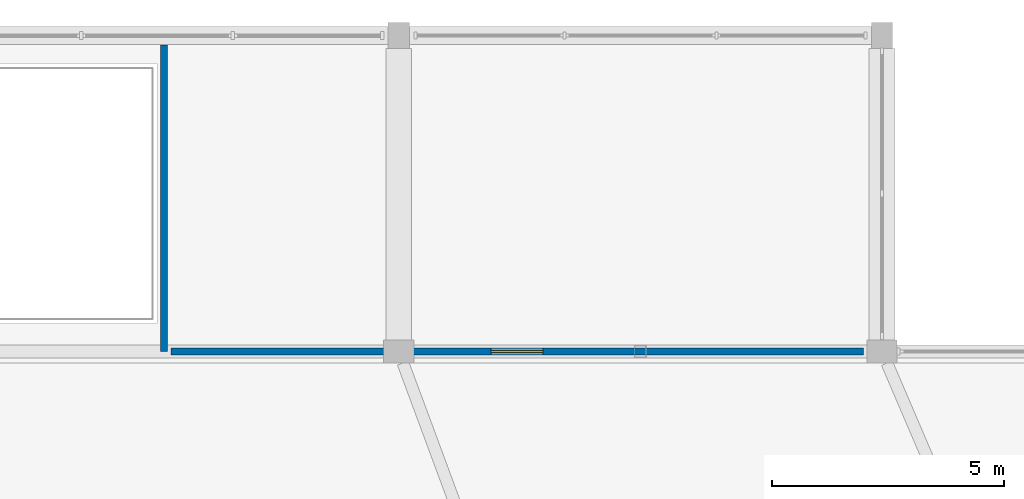
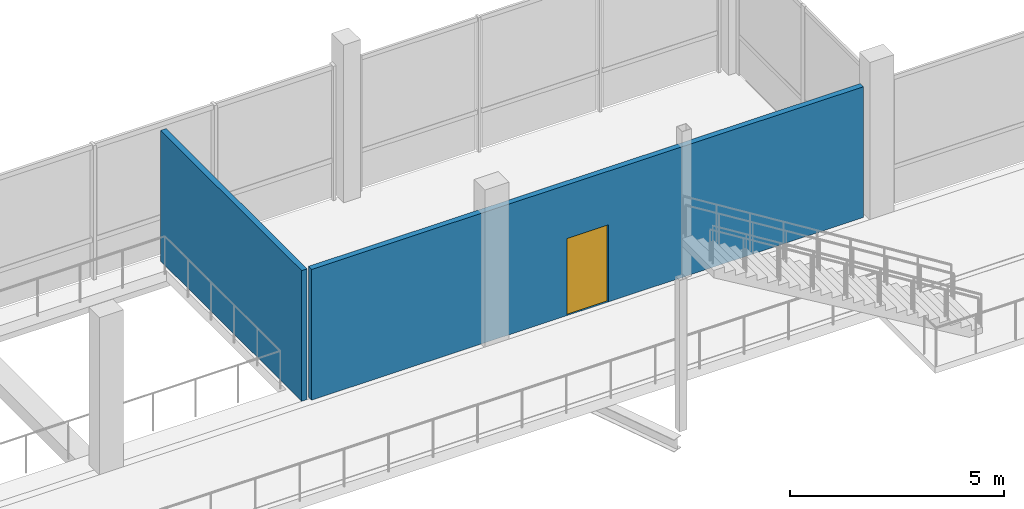
# One storey, part 60 of 95: 2 walls, 1 door, 1 opening.
"""IFC4 building model written with IfcOpenShell, lengths in metres."""

from ifc_helpers import new_model, si_unit, derived_unit, direction, frame, frame_2d, origin, origin_with_axes, place, context, subcontext, project, spatial, rectangle, extrude, material, layer, layer_set, type_object, element, fill, save


model = new_model("IFC4")

# Units and contexts
model_context = context("Model", 3, precision=1e-05, world=origin(), true_north=direction((0.0, 1.0)))
body_context = subcontext(model_context, "Body", "Model", "MODEL_VIEW")
ifc_project = project(units=[si_unit("LENGTHUNIT", "METRE"), si_unit("AREAUNIT", "SQUARE_METRE"), si_unit("VOLUMEUNIT", "CUBIC_METRE"), si_unit("PLANEANGLEUNIT", "RADIAN"), si_unit("MASSUNIT", "GRAM", prefix="KILO"), derived_unit("THERMALTRANSMITTANCEUNIT", [(si_unit("POWERUNIT", "WATT"), 1), (si_unit("LENGTHUNIT", "METRE"), -2), (si_unit("THERMODYNAMICTEMPERATUREUNIT", "KELVIN"), -1)])], contexts=[model_context])

# Site, building, storey
site_placement = place(None, origin())
site = spatial("IfcSite", under=ifc_project, at=site_placement, CompositionType="ELEMENT")
building_placement = place(site_placement, origin())
building = spatial("IfcBuilding", under=site, at=building_placement, Name="Braskholm Square Health Centre", CompositionType="ELEMENT")
storey_placement = place(building_placement, frame((0.0, 0.0, 4.800048828125)))
storey = spatial("IfcBuildingStorey", under=building, at=storey_placement, Name="L02", CompositionType="ELEMENT", Elevation=4.800048828125)

# Wall
ifc_material_1 = material(Name="Acoustic gypsum board partition")
ifc_layer = layer(ifc_material_1, 0.14990234375)
ifc_layer_set = layer_set([ifc_layer], Name="Acoustic gypsum board partition")
wall_type = type_object("IfcWallType", Name="CorridorAcousticPartition150", PredefinedType="PARTITIONING", material=ifc_layer_set)
wall_1_placement = place(storey_placement, frame((94.550048828125, 107.0, 0.0), z_axis=(0.0, 0.0, 1.0), x_axis=(0.0, 1.0, 0.0)))
element("IfcWall", 1, at=wall_1_placement, inside=storey, type_object=wall_type, Name="Interior partition PWALL-L02-0523", PredefinedType="PARTITIONING", context=body_context, shape_type="SweptSolid", body=[
    extrude(rectangle(XDim=6.60009765625, YDim=0.14990234375, at=frame_2d((3.300048828125, 0.0))), origin(), (0.0, 0.0, 1.0), 3.73193359375),
])

# Wall, opening, door
wall_2_placement = place(storey_placement, frame((94.699951171875, 107.0, 0.0), z_axis=(0.0, 0.0, 1.0), x_axis=(1.0, 0.0, 0.0)))
wall_2 = element("IfcWall", 2, at=wall_2_placement, inside=storey, type_object=wall_type, Name="Interior partition PWALL-L02-0525", PredefinedType="PARTITIONING", context=body_context, shape_type="SweptSolid", body=[
    extrude(rectangle(XDim=14.900146484375, YDim=0.14990234375, at=frame_2d((7.4501953125, 0.0))), origin(), (0.0, 0.0, 1.0), 3.73193359375),
])
opening_placement = place(wall_2_placement, frame((6.889892578125, 0.0, 0.0)))
opening = element("IfcOpeningElement", 3, at=opening_placement, cuts=wall_2, Name="Opening D-03", PredefinedType="OPENING", context=body_context, shape_type="SweptSolid", body=[
    extrude(rectangle(XDim=1.1201171875, YDim=2.199951171875, at=frame_2d((0.56005859375, 1.10009765625))), frame((0.0, 0.0849609375, 0.0), z_axis=(0.0, -1.0, 0.0), x_axis=(1.0, 0.0, 0.0)), (0.0, 0.0, 1.0), 0.169921875),
])
ifc_material_2 = material(Name="Architectural bronze anodised aluminium", Category="aluminium")
door_type = type_object("IfcDoorType", Name="DoorProcedure1120x2200", OperationType="NOTDEFINED", PredefinedType="DOOR", material=ifc_material_2)
door_placement = place(opening_placement, origin_with_axes())
door = element("IfcDoor", 4, at=door_placement, inside=storey, type_object=door_type, Name="Interior door 0250 L02", OperationType="SINGLE_SWING_RIGHT", OverallHeight=2.199951171875, OverallWidth=1.1201171875, PredefinedType="DOOR", context=body_context, shape_type="SweptSolid", body=[
    extrude(rectangle(XDim=1.1201171875, YDim=2.199951171875, at=frame_2d((0.56005859375, 1.10009765625))), frame((0.0, 0.02490234375, 0.0), z_axis=(0.0, -1.0, 0.0), x_axis=(1.0, 0.0, 0.0)), (0.0, 0.0, 1.0), 0.050048828125),
])
fill(opening, door)

save(model, "model.ifc")
